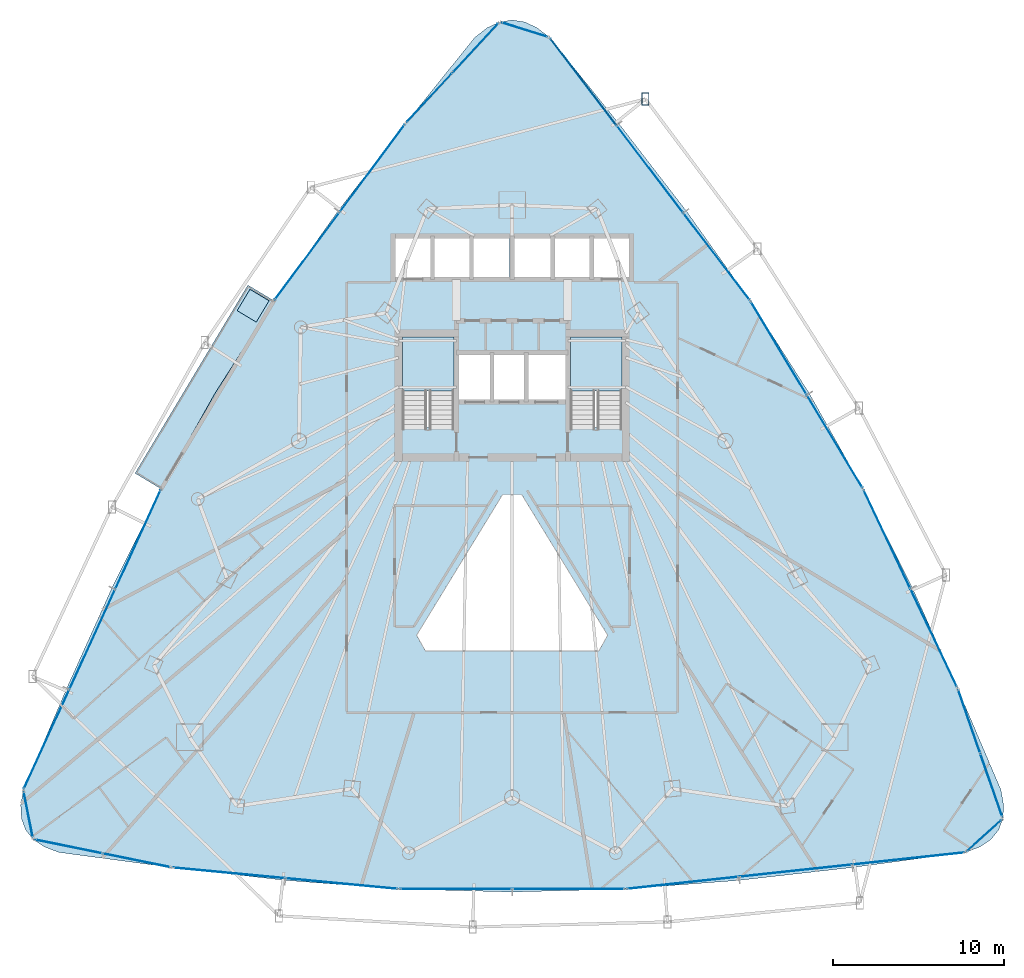
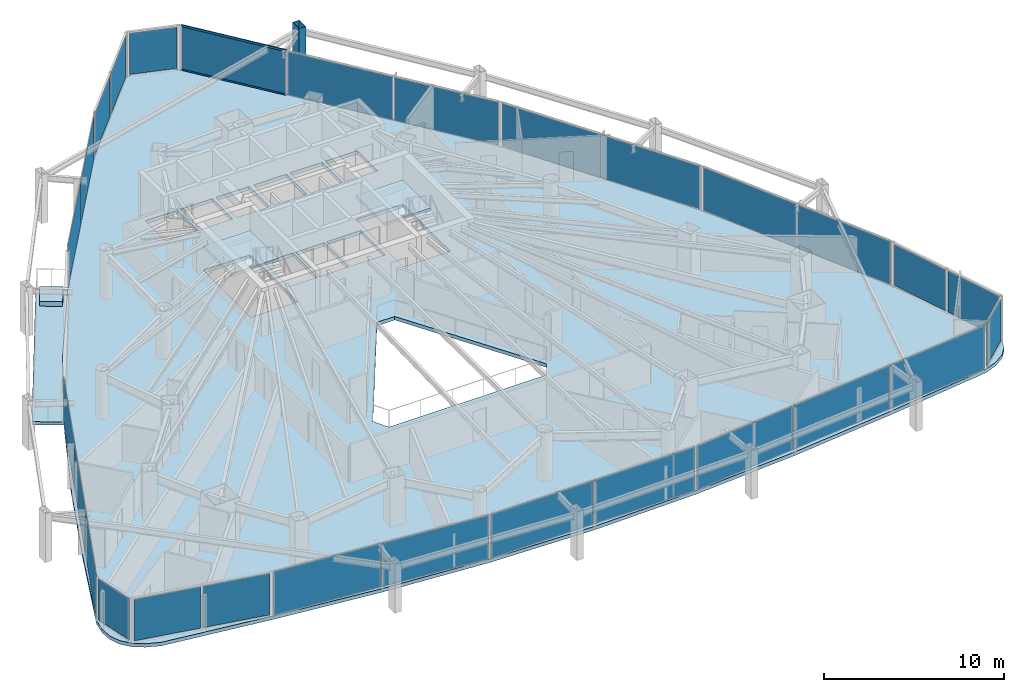
# One storey, part 31 of 38: 28 plates, 5 slabs, 3 members, 16 elements without a shape of their own.
"""IFC4 building model written with IfcOpenShell, lengths in metres."""

from ifc_helpers import new_model, si_unit, direction, frame, origin, origin_2d, place, context, subcontext, project, spatial, polyline, rectangle, hollow_rectangle, outline, extrude, material, layer, layer_set, material_profile, profile_set, type_object, element, aggregate, save


model = new_model("IFC4")

# Units and contexts
model_context = context("Model", 3, precision=1e-05, world=origin(), true_north=direction((0.0, 1.0)))
body_context = subcontext(model_context, "Body", "Model", "MODEL_VIEW")
ifc_project = project(units=[si_unit("LENGTHUNIT", "METRE"), si_unit("AREAUNIT", "SQUARE_METRE"), si_unit("VOLUMEUNIT", "CUBIC_METRE"), si_unit("PLANEANGLEUNIT", "RADIAN"), si_unit("MASSUNIT", "GRAM", prefix="KILO")], contexts=[model_context])

# Site, building, storey
site_placement = place(None, origin())
site = spatial("IfcSite", under=ifc_project, at=site_placement, CompositionType="ELEMENT")
building_placement = place(site_placement, origin())
building = spatial("IfcBuilding", under=site, at=building_placement, Name="Orvanel Arch Residences", CompositionType="ELEMENT")
storey_placement = place(building_placement, frame((0.0, 0.0, 46.699951171875)))
storey = spatial("IfcBuildingStorey", under=building, at=storey_placement, Name="L12", CompositionType="ELEMENT", Elevation=46.699951171875)

# Member
ifc_material_1 = material(Name="Structural steel AS/NZS 3678 Grade 350", Category="steel")
ifc_material_profile_1 = material_profile(ifc_material_1, hollow_rectangle(XDim=0.419921875, YDim=0.719970703125, WallThickness=0.02490234375, at=origin_2d()), Name="RHS720x420x25")
ifc_profile_set_1 = profile_set([ifc_material_profile_1], Name="Structural steel AS/NZS 3678 Grade 350")
member_type_1 = type_object("IfcMemberType", Name="CH-720RHS-EXT", PredefinedType="CHORD", material=ifc_profile_set_1)
member_1_placement = place(storey_placement, frame((40.76806640625, 47.58203125, 0.0), z_axis=(0.0, 0.0, 1.0), x_axis=(1.0, 0.0, 0.0)))
element("IfcMember", 1, at=member_1_placement, inside=storey, type_object=member_type_1, Name="L12 Outer Perimeter Frame Post 12", PredefinedType="CHORD", context=body_context, shape_type="SweptSolid", body=[
    extrude(hollow_rectangle(XDim=0.419921875, YDim=0.719970703125, WallThickness=0.02490234375, at=origin_2d()), origin(), (0.0, 0.0, 1.0), 3.300048828125),
])

# Curtain wall, members
ifc_material_2 = material(Name="Bronze-anodised aluminium AA6063-T6", Category="aluminium")
ifc_layer_1 = layer(ifc_material_2, 0.179931640625)
ifc_layer_set_1 = layer_set([ifc_layer_1], Name="Bronze-anodised aluminium AA6063-T6")
curtain_wall_type_1 = type_object("IfcCurtainWallType", Name="CW2-LOW-SYS", PredefinedType="NOTDEFINED", material=ifc_layer_set_1)
curtain_wall_1_placement = place(storey_placement, origin())
curtain_wall_1 = element("IfcCurtainWall", 2, at=curtain_wall_1_placement, inside=storey, type_object=curtain_wall_type_1, Name="L12 CW2-LOW-SYS Unitised Curtain Wall", PredefinedType="NOTDEFINED")
ifc_material_profile_2 = material_profile(ifc_material_2, hollow_rectangle(XDim=0.06005859375, YDim=0.135009765625, WallThickness=0.00390625, at=origin_2d()), Name="ALU135x60x4")
ifc_profile_set_2 = profile_set([ifc_material_profile_2], Name="Bronze-anodised aluminium AA6063-T6")
member_type_2 = type_object("IfcMemberType", Name="TRN-135x60", PredefinedType="USERDEFINED", material=ifc_profile_set_2)
member_2_placement = place(storey_placement, frame((39.068115234375, 46.072509765625, 0.030029296875), z_axis=(-0.606152651564, 0.795348328094, 0.0), x_axis=(-0.795348328094, -0.606152651564, 0.0)))
member_2 = element("IfcMember", 3, at=member_2_placement, type_object=member_type_2, Name="CW-S2 transom 3.1", ObjectType="TRANSOM", PredefinedType="USERDEFINED", context=body_context, shape_type="SweptSolid", body=[
    extrude(hollow_rectangle(XDim=0.06005859375, YDim=0.135009765625, WallThickness=0.00390625, at=origin_2d()), origin(), (0.0, 0.0, 1.0), 6.31787109375),
])
member_3_placement = place(storey_placement, frame((39.068115234375, 46.072509765625, 3.030029296875), z_axis=(-0.606152651564, 0.795348328094, 0.0), x_axis=(-0.795348328094, -0.606152651564, 0.0)))
member_3 = element("IfcMember", 4, at=member_3_placement, type_object=member_type_2, Name="CW-S2 transom 3.2", ObjectType="TRANSOM", PredefinedType="USERDEFINED", context=body_context, shape_type="SweptSolid", body=[
    extrude(hollow_rectangle(XDim=0.06005859375, YDim=0.135009765625, WallThickness=0.00390625, at=origin_2d()), origin(), (0.0, 0.0, 1.0), 6.31787109375),
])

# Curtain wall, plates
curtain_wall_2_placement = place(storey_placement, origin())
curtain_wall_2 = element("IfcCurtainWall", 5, at=curtain_wall_2_placement, inside=storey, type_object=curtain_wall_type_1, Name="L12 CW2-LOW-SYS Unitised Curtain Wall", PredefinedType="NOTDEFINED")
ifc_material_3 = material(Name="Double-glazed solar-control low-E safety glass", Category="glass")
ifc_layer_2 = layer(ifc_material_3, 0.028076171875)
ifc_layer_set_2 = layer_set([ifc_layer_2], Name="Double-glazed solar-control low-E safety glass")
plate_type_1 = type_object("IfcPlateType", Name="PNL-GLZ-28", PredefinedType="CURTAIN_PANEL", material=ifc_layer_set_2)
plate_1_placement = place(storey_placement, frame((24.8369140625, 43.53515625, 0.06005859375), z_axis=(0.0, 0.0, 1.0), x_axis=(-0.595483189714, -0.803367768067, 0.0)))
plate_1 = element("IfcPlate", 6, at=plate_1_placement, type_object=plate_type_1, Name="CW-S2 panel 1.1", PredefinedType="CURTAIN_PANEL", context=body_context, shape_type="SweptSolid", body=[
    extrude(rectangle(XDim=6.302490234375, YDim=0.028076171875, at=origin_2d()), origin(), (0.0, 0.0, 1.0), 2.93994140625),
])
plate_2_placement = place(storey_placement, frame((21.042236328125, 38.415771484375, 0.06005859375), z_axis=(0.0, 0.0, 1.0), x_axis=(-0.595483189714, -0.803367768067, 0.0)))
plate_2 = element("IfcPlate", 7, at=plate_2_placement, type_object=plate_type_1, Name="CW-S2 panel 2.1", PredefinedType="CURTAIN_PANEL", context=body_context, shape_type="SweptSolid", body=[
    extrude(rectangle(XDim=6.302490234375, YDim=0.028076171875, at=origin_2d()), origin(), (0.0, 0.0, 1.0), 2.93994140625),
])
aggregate(curtain_wall_2, [plate_1, plate_2])

curtain_wall_3_placement = place(storey_placement, origin())
curtain_wall_3 = element("IfcCurtainWall", 8, at=curtain_wall_3_placement, inside=storey, type_object=curtain_wall_type_1, Name="L12 CW2-LOW-SYS Unitised Curtain Wall", PredefinedType="NOTDEFINED")
plate_3_placement = place(storey_placement, frame((11.179443359375, 21.88720703125, 0.06005859375), z_axis=(0.0, 0.0, 1.0), x_axis=(-0.416374131092, -0.909193369398, 0.0)))
plate_3 = element("IfcPlate", 9, at=plate_3_placement, type_object=plate_type_1, Name="CW-S2 panel 1.1", PredefinedType="CURTAIN_PANEL", context=body_context, shape_type="SweptSolid", body=[
    extrude(rectangle(XDim=6.31787109375, YDim=0.028076171875, at=origin_2d()), origin(), (0.0, 0.0, 1.0), 2.93994140625),
])
plate_4_placement = place(storey_placement, frame((8.512451171875, 16.0634765625, 0.06005859375), z_axis=(0.0, 0.0, 1.0), x_axis=(-0.416374131092, -0.909193369398, 0.0)))
plate_4 = element("IfcPlate", 10, at=plate_4_placement, type_object=plate_type_1, Name="CW-S2 panel 2.1", PredefinedType="CURTAIN_PANEL", context=body_context, shape_type="SweptSolid", body=[
    extrude(rectangle(XDim=6.35302734375, YDim=0.028076171875, at=origin_2d()), origin(), (0.0, 0.0, 1.0), 2.93994140625),
])
plate_5_placement = place(storey_placement, frame((5.845458984375, 10.23974609375, 0.06005859375), z_axis=(0.0, 0.0, 1.0), x_axis=(-0.416374131092, -0.909193369398, 0.0)))
plate_5 = element("IfcPlate", 11, at=plate_5_placement, type_object=plate_type_1, Name="CW-S2 panel 3.1", PredefinedType="CURTAIN_PANEL", context=body_context, shape_type="SweptSolid", body=[
    extrude(rectangle(XDim=6.31787109375, YDim=0.028076171875, at=origin_2d()), origin(), (0.0, 0.0, 1.0), 2.93994140625),
])
aggregate(curtain_wall_3, [plate_3, plate_4, plate_5])

curtain_wall_4_placement = place(storey_placement, origin())
curtain_wall_4 = element("IfcCurtainWall", 12, at=curtain_wall_4_placement, inside=storey, type_object=curtain_wall_type_1, Name="L12 CW2-LOW-SYS Unitised Curtain Wall", PredefinedType="NOTDEFINED")
plate_6_placement = place(storey_placement, frame((16.499267578125, 2.4443359375, 0.06005859375), z_axis=(0.0, 0.0, 1.0), x_axis=(0.995548939355, -0.094246004419, 0.0)))
plate_6 = element("IfcPlate", 13, at=plate_6_placement, type_object=plate_type_1, Name="CW-S2 panel 1.1", PredefinedType="CURTAIN_PANEL", context=body_context, shape_type="SweptSolid", body=[
    extrude(rectangle(XDim=6.515869140625, YDim=0.028076171875, at=origin_2d()), origin(), (0.0, 0.0, 1.0), 2.93994140625),
])
plate_7_placement = place(storey_placement, frame((23.055908203125, 1.82373046875, 0.06005859375), z_axis=(0.0, 0.0, 1.0), x_axis=(0.995548939355, -0.094246004419, 0.0)))
plate_7 = element("IfcPlate", 14, at=plate_7_placement, type_object=plate_type_1, Name="CW-S2 panel 2.1", PredefinedType="CURTAIN_PANEL", context=body_context, shape_type="SweptSolid", body=[
    extrude(rectangle(XDim=6.515869140625, YDim=0.028076171875, at=origin_2d()), origin(), (0.0, 0.0, 1.0), 2.93994140625),
])
aggregate(curtain_wall_4, [plate_6, plate_7])

curtain_wall_5_placement = place(storey_placement, origin())
curtain_wall_5 = element("IfcCurtainWall", 15, at=curtain_wall_5_placement, inside=storey, type_object=curtain_wall_type_1, Name="L12 CW2-LOW-SYS Unitised Curtain Wall", PredefinedType="NOTDEFINED")
plate_8_placement = place(storey_placement, frame((29.721923828125, 1.508056640625, 0.06005859375), z_axis=(0.0, 0.0, 1.0), x_axis=(1.0, 0.0, 0.0)))
plate_8 = element("IfcPlate", 16, at=plate_8_placement, type_object=plate_type_1, Name="CW-S2 panel 1.1", PredefinedType="CURTAIN_PANEL", context=body_context, shape_type="SweptSolid", body=[
    extrude(rectangle(XDim=6.486083984375, YDim=0.028076171875, at=origin_2d()), origin(), (0.0, 0.0, 1.0), 2.93994140625),
])
plate_9_placement = place(storey_placement, frame((36.278076171875, 1.508056640625, 0.06005859375), z_axis=(0.0, 0.0, 1.0), x_axis=(1.0, 0.0, 0.0)))
plate_9 = element("IfcPlate", 17, at=plate_9_placement, type_object=plate_type_1, Name="CW-S2 panel 2.1", PredefinedType="CURTAIN_PANEL", context=body_context, shape_type="SweptSolid", body=[
    extrude(rectangle(XDim=6.486083984375, YDim=0.028076171875, at=origin_2d()), origin(), (0.0, 0.0, 1.0), 2.93994140625),
])
aggregate(curtain_wall_5, [plate_8, plate_9])

curtain_wall_6_placement = place(storey_placement, origin())
curtain_wall_6 = element("IfcCurtainWall", 18, at=curtain_wall_6_placement, inside=storey, type_object=curtain_wall_type_1, Name="L12 CW2-LOW-SYS Unitised Curtain Wall", PredefinedType="NOTDEFINED")
plate_10_placement = place(storey_placement, frame((42.947509765625, 1.867431640625, 0.06005859375), z_axis=(0.0, 0.0, 1.0), x_axis=(0.994243980851, 0.107139659052, 0.0)))
plate_10 = element("IfcPlate", 19, at=plate_10_placement, type_object=plate_type_1, Name="CW-S2 panel 1.1", PredefinedType="CURTAIN_PANEL", context=body_context, shape_type="SweptSolid", body=[
    extrude(rectangle(XDim=6.53125, YDim=0.028076171875, at=origin_2d()), origin(), (0.0, 0.0, 1.0), 2.93994140625),
])
plate_11_placement = place(storey_placement, frame((49.528076171875, 2.576416015625, 0.06005859375), z_axis=(0.0, 0.0, 1.0), x_axis=(0.994243980851, 0.107139659052, 0.0)))
plate_11 = element("IfcPlate", 20, at=plate_11_placement, type_object=plate_type_1, Name="CW-S2 panel 2.1", PredefinedType="CURTAIN_PANEL", context=body_context, shape_type="SweptSolid", body=[
    extrude(rectangle(XDim=6.566162109375, YDim=0.028076171875, at=origin_2d()), origin(), (0.0, 0.0, 1.0), 2.93994140625),
])
plate_12_placement = place(storey_placement, frame((56.108642578125, 3.28564453125, 0.06005859375), z_axis=(0.0, 0.0, 1.0), x_axis=(0.994243980851, 0.107139659052, 0.0)))
plate_12 = element("IfcPlate", 21, at=plate_12_placement, type_object=plate_type_1, Name="CW-S2 panel 3.1", PredefinedType="CURTAIN_PANEL", context=body_context, shape_type="SweptSolid", body=[
    extrude(rectangle(XDim=6.53125, YDim=0.028076171875, at=origin_2d()), origin(), (0.0, 0.0, 1.0), 2.93994140625),
])
aggregate(curtain_wall_6, [plate_10, plate_11, plate_12])

curtain_wall_7_placement = place(storey_placement, origin())
curtain_wall_7 = element("IfcCurtainWall", 22, at=curtain_wall_7_placement, inside=storey, type_object=curtain_wall_type_1, Name="L12 CW2-LOW-SYS Unitised Curtain Wall", PredefinedType="NOTDEFINED")
plate_13_placement = place(storey_placement, frame((57.5869140625, 16.154541015625, 0.06005859375), z_axis=(0.0, 0.0, 1.0), x_axis=(-0.42841841081, 0.903580469731, 0.0)))
plate_13 = element("IfcPlate", 23, at=plate_13_placement, type_object=plate_type_1, Name="CW-S2 panel 1.1", PredefinedType="CURTAIN_PANEL", context=body_context, shape_type="SweptSolid", body=[
    extrude(rectangle(XDim=6.30224609375, YDim=0.028076171875, at=origin_2d()), origin(), (0.0, 0.0, 1.0), 2.93994140625),
])
plate_14_placement = place(storey_placement, frame((54.85693359375, 21.912353515625, 0.06005859375), z_axis=(0.0, 0.0, 1.0), x_axis=(-0.42841841081, 0.903580469731, 0.0)))
plate_14 = element("IfcPlate", 24, at=plate_14_placement, type_object=plate_type_1, Name="CW-S2 panel 2.1", PredefinedType="CURTAIN_PANEL", context=body_context, shape_type="SweptSolid", body=[
    extrude(rectangle(XDim=6.30224609375, YDim=0.028076171875, at=origin_2d()), origin(), (0.0, 0.0, 1.0), 2.93994140625),
])
aggregate(curtain_wall_7, [plate_13, plate_14])

curtain_wall_8_placement = place(storey_placement, origin())
curtain_wall_8 = element("IfcCurtainWall", 25, at=curtain_wall_8_placement, inside=storey, type_object=curtain_wall_type_1, Name="L12 CW2-LOW-SYS Unitised Curtain Wall", PredefinedType="NOTDEFINED")
plate_15_placement = place(storey_placement, frame((51.80908203125, 27.607177734375, 0.06005859375), z_axis=(0.0, 0.0, 1.0), x_axis=(-0.514368910263, 0.857569020053, 0.0)))
plate_15 = element("IfcPlate", 26, at=plate_15_placement, type_object=plate_type_1, Name="CW-S2 panel 1.1", PredefinedType="CURTAIN_PANEL", context=body_context, shape_type="SweptSolid", body=[
    extrude(rectangle(XDim=6.271728515625, YDim=0.028076171875, at=origin_2d()), origin(), (0.0, 0.0, 1.0), 2.93994140625),
])
plate_16_placement = place(storey_placement, frame((48.547119140625, 33.045654296875, 0.06005859375), z_axis=(0.0, 0.0, 1.0), x_axis=(-0.514368910263, 0.857569020053, 0.0)))
plate_16 = element("IfcPlate", 27, at=plate_16_placement, type_object=plate_type_1, Name="CW-S2 panel 2.1", PredefinedType="CURTAIN_PANEL", context=body_context, shape_type="SweptSolid", body=[
    extrude(rectangle(XDim=6.271728515625, YDim=0.028076171875, at=origin_2d()), origin(), (0.0, 0.0, 1.0), 2.93994140625),
])
aggregate(curtain_wall_8, [plate_15, plate_16])

# Plate
plate_17_placement = place(storey_placement, frame((44.918701171875, 38.39599609375, 0.06005859375), z_axis=(0.0, 0.0, 1.0), x_axis=(-0.606168299009, 0.795336402585, 0.0)))
plate_17 = element("IfcPlate", 28, at=plate_17_placement, type_object=plate_type_1, Name="CW-S2 panel 1.1", PredefinedType="CURTAIN_PANEL", context=body_context, shape_type="SweptSolid", body=[
    extrude(rectangle(XDim=6.31787109375, YDim=0.028076171875, at=origin_2d()), origin(), (0.0, 0.0, 1.0), 2.93994140625),
])

plate_18_placement = place(storey_placement, frame((41.035888671875, 43.490478515625, 0.06005859375), z_axis=(0.0, 0.0, 1.0), x_axis=(-0.606168299009, 0.795336402585, 0.0)))
plate_18 = element("IfcPlate", 29, at=plate_18_placement, type_object=plate_type_1, Name="CW-S2 panel 2.1", PredefinedType="CURTAIN_PANEL", context=body_context, shape_type="SweptSolid", body=[
    extrude(rectangle(XDim=6.352783203125, YDim=0.028076171875, at=origin_2d()), origin(), (0.0, 0.0, 1.0), 2.93994140625),
])

plate_19_placement = place(storey_placement, frame((37.1533203125, 48.5849609375, 0.06005859375), z_axis=(0.0, 0.0, 1.0), x_axis=(-0.606168299009, 0.795336402585, 0.0)))
plate_19 = element("IfcPlate", 30, at=plate_19_placement, type_object=plate_type_1, Name="CW-S2 panel 3.1", PredefinedType="CURTAIN_PANEL", context=body_context, shape_type="SweptSolid", body=[
    extrude(rectangle(XDim=6.31787109375, YDim=0.028076171875, at=origin_2d()), origin(), (0.0, 0.0, 1.0), 2.93994140625),
])

aggregate(curtain_wall_1, [plate_17, plate_18, member_2, member_3, plate_19])

# Curtain wall, plate
ifc_layer_3 = layer(ifc_material_2, 0.18994140625)
ifc_layer_set_3 = layer_set([ifc_layer_3], Name="Bronze-anodised aluminium AA6063-T6")
curtain_wall_type_2 = type_object("IfcCurtainWallType", Name="CW5-CRN-SYS", PredefinedType="NOTDEFINED", material=ifc_layer_set_3)
curtain_wall_9_placement = place(storey_placement, origin())
curtain_wall_9 = element("IfcCurtainWall", 31, at=curtain_wall_9_placement, inside=storey, type_object=curtain_wall_type_2, Name="L12 CW5-CRN-SYS Unitised Curtain Wall", PredefinedType="NOTDEFINED")
ifc_layer_4 = layer(ifc_material_3, 0.031982421875)
ifc_layer_set_4 = layer_set([ifc_layer_4], Name="Double-glazed solar-control low-E safety glass")
plate_type_2 = type_object("IfcPlateType", Name="PNL-GLZ-32", PredefinedType="CURTAIN_PANEL", material=ifc_layer_set_4)
plate_20_placement = place(storey_placement, frame((33.72802734375, 51.6220703125, 0.1298828125), z_axis=(0.0, 0.0, 1.0), x_axis=(-0.954869341212, 0.297026162506, 0.0)))
plate_20 = element("IfcPlate", 32, at=plate_20_placement, type_object=plate_type_2, Name="CW-S5 panel 1.1", PredefinedType="CURTAIN_PANEL", context=body_context, shape_type="SweptSolid", body=[
    extrude(rectangle(XDim=2.709716796875, YDim=0.031982421875, at=origin_2d()), origin(), (0.0, 0.0, 1.0), 2.800048828125),
])
aggregate(curtain_wall_9, [plate_20])

# Curtain wall, plates
curtain_wall_10_placement = place(storey_placement, origin())
curtain_wall_10 = element("IfcCurtainWall", 33, at=curtain_wall_10_placement, inside=storey, type_object=curtain_wall_type_2, Name="L12 CW5-CRN-SYS Unitised Curtain Wall", PredefinedType="NOTDEFINED")
plate_21_placement = place(storey_placement, frame((30.86328125, 50.555908203125, 0.1298828125), z_axis=(0.0, 0.0, 1.0), x_axis=(-0.679974760262, -0.733235518375, 0.0)))
plate_21 = element("IfcPlate", 34, at=plate_21_placement, type_object=plate_type_2, Name="CW-S5 panel 1.1", PredefinedType="CURTAIN_PANEL", context=body_context, shape_type="SweptSolid", body=[
    extrude(rectangle(XDim=3.80224609375, YDim=0.031982421875, at=origin_2d()), origin(), (0.0, 0.0, 1.0), 2.800048828125),
])
plate_22_placement = place(storey_placement, frame((28.17578125, 47.657958984375, 0.1298828125), z_axis=(0.0, 0.0, 1.0), x_axis=(-0.679974760262, -0.733235518375, 0.0)))
plate_22 = element("IfcPlate", 35, at=plate_22_placement, type_object=plate_type_2, Name="CW-S5 panel 2.1", PredefinedType="CURTAIN_PANEL", context=body_context, shape_type="SweptSolid", body=[
    extrude(rectangle(XDim=3.80224609375, YDim=0.031982421875, at=origin_2d()), origin(), (0.0, 0.0, 1.0), 2.800048828125),
])
aggregate(curtain_wall_10, [plate_21, plate_22])

# Curtain wall, plate
curtain_wall_11_placement = place(storey_placement, origin())
curtain_wall_11 = element("IfcCurtainWall", 36, at=curtain_wall_11_placement, inside=storey, type_object=curtain_wall_type_2, Name="L12 CW5-CRN-SYS Unitised Curtain Wall", PredefinedType="NOTDEFINED")
plate_23_placement = place(storey_placement, frame((4.780029296875, 5.845947265625, 0.1298828125), z_axis=(0.0, 0.0, 1.0), x_axis=(0.195452010225, -0.980713266811, 0.0)))
plate_23 = element("IfcPlate", 37, at=plate_23_placement, type_object=plate_type_2, Name="CW-S5 panel 1.1", PredefinedType="CURTAIN_PANEL", context=body_context, shape_type="SweptSolid", body=[
    extrude(rectangle(XDim=2.595947265625, YDim=0.031982421875, at=origin_2d()), origin(), (0.0, 0.0, 1.0), 2.800048828125),
])
aggregate(curtain_wall_11, [plate_23])

# Curtain wall, plates
curtain_wall_12_placement = place(storey_placement, origin())
curtain_wall_12 = element("IfcCurtainWall", 38, at=curtain_wall_12_placement, inside=storey, type_object=curtain_wall_type_2, Name="L12 CW5-CRN-SYS Unitised Curtain Wall", PredefinedType="NOTDEFINED")
plate_24_placement = place(storey_placement, frame((7.138427734375, 3.985107421875, 0.1298828125), z_axis=(0.0, 0.0, 1.0), x_axis=(0.979963220769, -0.199178527808, 0.0)))
plate_24 = element("IfcPlate", 39, at=plate_24_placement, type_object=plate_type_2, Name="CW-S5 panel 1.1", PredefinedType="CURTAIN_PANEL", context=body_context, shape_type="SweptSolid", body=[
    extrude(rectangle(XDim=3.886962890625, YDim=0.031982421875, at=origin_2d()), origin(), (0.0, 0.0, 1.0), 2.800048828125),
])
plate_25_placement = place(storey_placement, frame((11.094482421875, 3.180908203125, 0.1298828125), z_axis=(0.0, 0.0, 1.0), x_axis=(0.979963220769, -0.199178527808, 0.0)))
plate_25 = element("IfcPlate", 40, at=plate_25_placement, type_object=plate_type_2, Name="CW-S5 panel 2.1", PredefinedType="CURTAIN_PANEL", context=body_context, shape_type="SweptSolid", body=[
    extrude(rectangle(XDim=3.886962890625, YDim=0.031982421875, at=origin_2d()), origin(), (0.0, 0.0, 1.0), 2.800048828125),
])
aggregate(curtain_wall_12, [plate_24, plate_25])

# Curtain wall, plate
curtain_wall_13_placement = place(storey_placement, origin())
curtain_wall_13 = element("IfcCurtainWall", 41, at=curtain_wall_13_placement, inside=storey, type_object=curtain_wall_type_2, Name="L12 CW5-CRN-SYS Unitised Curtain Wall", PredefinedType="NOTDEFINED")
plate_26_placement = place(storey_placement, frame((60.532470703125, 4.632080078125, 0.1298828125), z_axis=(0.0, 0.0, 1.0), x_axis=(0.740283535788, 0.672294791472, 0.0)))
plate_26 = element("IfcPlate", 42, at=plate_26_placement, type_object=plate_type_2, Name="CW-S5 panel 1.1", PredefinedType="CURTAIN_PANEL", context=body_context, shape_type="SweptSolid", body=[
    extrude(rectangle(XDim=2.59765625, YDim=0.031982421875, at=origin_2d()), origin(), (0.0, 0.0, 1.0), 2.800048828125),
])
aggregate(curtain_wall_13, [plate_26])

# Curtain wall, plates
curtain_wall_14_placement = place(storey_placement, origin())
curtain_wall_14 = element("IfcCurtainWall", 43, at=curtain_wall_14_placement, inside=storey, type_object=curtain_wall_type_2, Name="L12 CW5-CRN-SYS Unitised Curtain Wall", PredefinedType="NOTDEFINED")
plate_27_placement = place(storey_placement, frame((60.943115234375, 7.565673828125, 0.1298828125), z_axis=(0.0, 0.0, 1.0), x_axis=(-0.328220502288, 0.944601133748, 0.0)))
plate_27 = element("IfcPlate", 44, at=plate_27_placement, type_object=plate_type_2, Name="CW-S5 panel 1.1", PredefinedType="CURTAIN_PANEL", context=body_context, shape_type="SweptSolid", body=[
    extrude(rectangle(XDim=3.781494140625, YDim=0.031982421875, at=origin_2d()), origin(), (0.0, 0.0, 1.0), 2.800048828125),
])
plate_28_placement = place(storey_placement, frame((59.65283203125, 11.279296875, 0.1298828125), z_axis=(0.0, 0.0, 1.0), x_axis=(-0.328220502288, 0.944601133748, 0.0)))
plate_28 = element("IfcPlate", 45, at=plate_28_placement, type_object=plate_type_2, Name="CW-S5 panel 2.1", PredefinedType="CURTAIN_PANEL", context=body_context, shape_type="SweptSolid", body=[
    extrude(rectangle(XDim=3.781494140625, YDim=0.031982421875, at=origin_2d()), origin(), (0.0, 0.0, 1.0), 2.800048828125),
])
aggregate(curtain_wall_14, [plate_27, plate_28])

# Slab
ifc_material_4 = material(Name="Concrete N40 (40 MPa)", Category="concrete")
ifc_layer_5 = layer(ifc_material_4, 0.215087890625)
ifc_layer_set_5 = layer_set([ifc_layer_5], Name="Concrete N40 (40 MPa)")
slab_type_1 = type_object("IfcSlabType", Name="SLB-BAL-215", PredefinedType="FLOOR", material=ifc_layer_set_5)
slab_1_placement = place(storey_placement, frame((0.0, 0.0, -0.21484375)))
element("IfcSlab", 46, at=slab_1_placement, inside=storey, type_object=slab_type_1, Name="L12 Cantilevered Balcony Slab Face 1", PredefinedType="FLOOR", context=body_context, shape_type="SweptSolid", body=[
    extrude(outline(polyline([(17.5859375, 36.72802734375), (11.0048828125, 25.757080078125), (12.531982421875, 24.841064453125), (15.6708984375, 30.4169921875), (19.112060546875, 35.81201171875), (17.5859375, 36.72802734375)])), origin(), (0.0, 0.0, 1.0), 0.21484375),
])

# Stair, slab
ifc_material_5 = material(Name="Precast concrete N50 (50 MPa)", Category="concrete")
stair_type = type_object("IfcStairType", Name="STR-DOG-184", PredefinedType="USERDEFINED", material=ifc_material_5)
stair_1_placement = place(storey_placement, origin())
stair_1 = element("IfcStair", 47, at=stair_1_placement, inside=storey, type_object=stair_type, Name="L12 Fire-Isolated Core Exit Stair 1", ObjectType="TWO_RETURN_STAIR", PredefinedType="USERDEFINED")
ifc_layer_6 = layer(ifc_material_4, 0.199951171875)
ifc_layer_set_6 = layer_set([ifc_layer_6], Name="Concrete N40 (40 MPa)")
slab_type_2 = type_object("IfcSlabType", Name="SLB-LND-200", PredefinedType="LANDING", material=ifc_layer_set_6)
slab_2_placement = place(storey_placement, frame((0.0, 0.0, 1.449951171875)))
slab_2 = element("IfcSlab", 48, at=slab_2_placement, type_object=slab_type_2, Name="ST-1 landing 1", PredefinedType="LANDING", context=body_context, shape_type="SweptSolid", body=[
    extrude(outline(polyline([(29.60009765625, 30.56005859375), (29.60009765625, 33.699951171875), (26.60009765625, 33.699951171875), (26.60009765625, 30.56005859375), (29.60009765625, 30.56005859375)])), origin(), (0.0, 0.0, 1.0), 0.2001953125),
])
aggregate(stair_1, [slab_2])

stair_2_placement = place(storey_placement, origin())
stair_2 = element("IfcStair", 49, at=stair_2_placement, inside=storey, type_object=stair_type, Name="L12 Fire-Isolated Core Exit Stair 2", ObjectType="TWO_RETURN_STAIR", PredefinedType="USERDEFINED")
slab_3_placement = place(storey_placement, frame((0.0, 0.0, 1.449951171875)))
slab_3 = element("IfcSlab", 50, at=slab_3_placement, type_object=slab_type_2, Name="ST-2 landing 1", PredefinedType="LANDING", context=body_context, shape_type="SweptSolid", body=[
    extrude(outline(polyline([(39.39990234375, 30.56005859375), (39.39990234375, 33.699951171875), (36.39990234375, 33.699951171875), (36.39990234375, 30.56005859375), (39.39990234375, 30.56005859375)])), origin(), (0.0, 0.0, 1.0), 0.2001953125),
])
aggregate(stair_2, [slab_3])

# Slabs
ifc_material_6 = material(Name="Structural architectural precast concrete N40 (40 MPa) planter", Category="concrete")
ifc_layer_7 = layer(ifc_material_6, 0.320068359375)
ifc_layer_set_7 = layer_set([ifc_layer_7], Name="Structural architectural precast concrete N40 (40 MPa) planter")
slab_type_3 = type_object("IfcSlabType", Name="SLB-PLN-320", PredefinedType="USERDEFINED", material=ifc_layer_set_7)
slab_4_placement = place(storey_placement, origin())
element("IfcSlab", 51, at=slab_4_placement, inside=storey, type_object=slab_type_3, Name="L12 Balcony TREE PLANTER Face 1", ObjectType="PLANTER", PredefinedType="USERDEFINED", context=body_context, shape_type="SweptSolid", body=[
    extrude(outline(polyline([(17.7060546875, 36.48095703125), (16.9599609375, 35.237060546875), (18.074951171875, 34.569091796875), (18.821044921875, 35.81201171875), (17.7060546875, 36.48095703125)])), origin(), (0.0, 0.0, 1.0), 0.320068359375),
])
ifc_layer_8 = layer(ifc_material_4, 0.239990234375)
ifc_layer_set_8 = layer_set([ifc_layer_8], Name="Concrete N40 (40 MPa)")
slab_type_4 = type_object("IfcSlabType", Name="SLB-TYP-240", PredefinedType="FLOOR", material=ifc_layer_set_8)
slab_5_placement = place(storey_placement, frame((0.0, 0.0, -0.239990234375)))
element("IfcSlab", 52, at=slab_5_placement, inside=storey, type_object=slab_type_4, Name="L12 Tower Floor Slab", PredefinedType="FLOOR", context=body_context, shape_type="SweptSolid", body=[
    extrude(outline(polyline([(35.18408203125, 51.1689453125), (34.4560546875, 51.735107421875), (33.72802734375, 52.074951171875), (33.0, 52.18798828125), (32.27197265625, 52.074951171875), (31.5439453125, 51.735107421875), (30.81591796875, 51.1689453125), (26.76708984375, 46.138916015625), (22.8330078125, 41.0400390625), (19.112060546875, 35.81201171875), (15.6708984375, 30.4169921875), (12.531982421875, 24.841064453125), (9.6708984375, 19.097900390625), (7.02392578125, 13.22607421875), (4.492919921875, 7.285888671875), (4.3369140625, 6.39599609375), (4.3798828125, 5.618896484375), (4.6240234375, 4.9560546875), (5.06689453125, 4.406005859375), (5.7109375, 3.968994140625), (6.554931640625, 3.64501953125), (13.166015625, 2.760009765625), (19.777099609375, 2.010009765625), (26.388916015625, 1.508056640625), (33.0, 1.33203125), (39.611083984375, 1.508056640625), (46.222900390625, 2.010009765625), (52.833984375, 2.760009765625), (59.445068359375, 3.64501953125), (60.2890625, 3.968994140625), (60.93310546875, 4.406005859375), (61.3759765625, 4.9560546875), (61.6201171875, 5.618896484375), (61.6630859375, 6.39599609375), (61.507080078125, 7.285888671875), (58.97607421875, 13.22607421875), (56.3291015625, 19.097900390625), (53.468017578125, 24.841064453125), (50.3291015625, 30.4169921875), (46.887939453125, 35.81201171875), (43.1669921875, 41.0400390625), (39.23291015625, 46.138916015625), (35.18408203125, 51.1689453125)]), holes=[polyline([(26.60009765625, 28.429931640625), (26.60009765625, 33.699951171875), (29.60009765625, 33.699951171875), (29.60009765625, 28.429931640625), (26.60009765625, 28.429931640625)]), polyline([(36.39990234375, 28.429931640625), (36.39990234375, 33.699951171875), (39.39990234375, 33.699951171875), (39.39990234375, 28.429931640625), (36.39990234375, 28.429931640625)]), polyline([(29.89990234375, 32.64990234375), (31.75, 32.64990234375), (31.75, 29.949951171875), (29.89990234375, 29.949951171875), (29.89990234375, 32.64990234375)]), polyline([(31.89990234375, 32.64990234375), (33.75, 32.64990234375), (33.75, 29.949951171875), (31.89990234375, 29.949951171875), (31.89990234375, 32.64990234375)]), polyline([(33.89990234375, 32.64990234375), (36.10009765625, 32.64990234375), (36.10009765625, 29.949951171875), (33.89990234375, 29.949951171875), (33.89990234375, 32.64990234375)]), polyline([(26.199951171875, 39.449951171875), (28.25, 39.449951171875), (28.25, 37.199951171875), (26.199951171875, 37.199951171875), (26.199951171875, 39.449951171875)]), polyline([(37.75, 39.449951171875), (39.800048828125, 39.449951171875), (39.800048828125, 37.199951171875), (37.75, 37.199951171875), (37.75, 39.449951171875)]), polyline([(28.449951171875, 39.449951171875), (30.5, 39.449951171875), (30.5, 37.199951171875), (28.449951171875, 37.199951171875), (28.449951171875, 39.449951171875)]), polyline([(35.5, 39.449951171875), (37.550048828125, 39.449951171875), (37.550048828125, 37.199951171875), (35.5, 37.199951171875), (35.5, 39.449951171875)]), polyline([(30.75, 39.449951171875), (32.85009765625, 39.449951171875), (32.85009765625, 37.199951171875), (30.75, 37.199951171875), (30.75, 39.449951171875)]), polyline([(33.14990234375, 39.449951171875), (35.25, 39.449951171875), (35.25, 37.199951171875), (33.14990234375, 37.199951171875), (33.14990234375, 39.449951171875)]), polyline([(38.572998046875, 16.30810546875), (38.054931640625, 15.384033203125), (27.945068359375, 15.384033203125), (27.427001953125, 16.30810546875), (32.43505859375, 24.5009765625), (33.56494140625, 24.5009765625), (38.572998046875, 16.30810546875)])]), origin(), (0.0, 0.0, 1.0), 0.239990234375),
])

save(model, "model.ifc")
